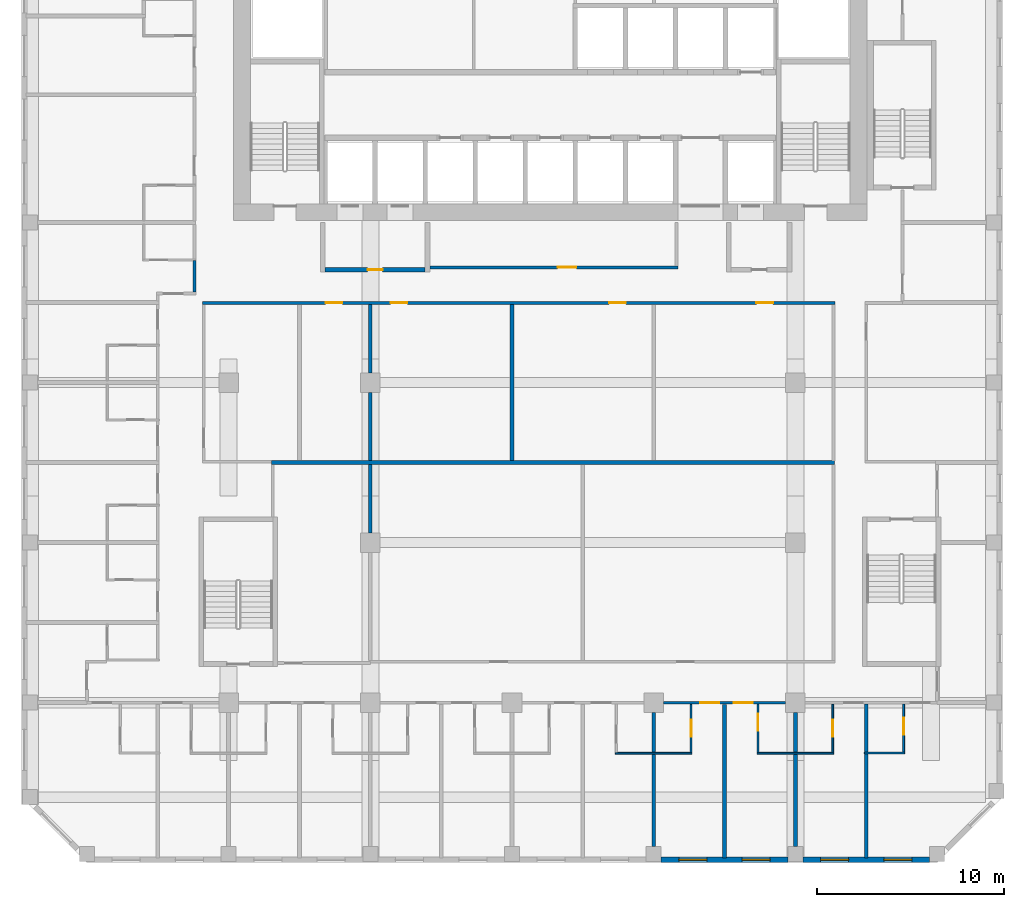
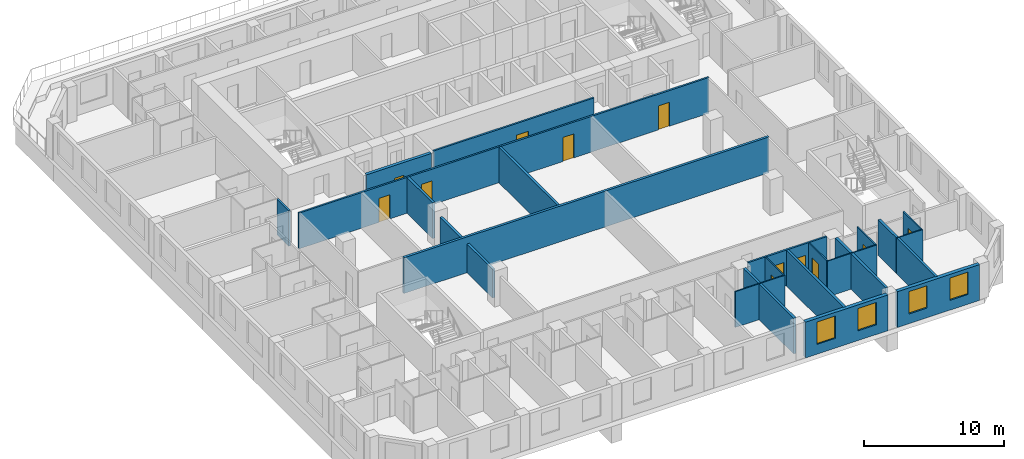
# One storey, part 5 of 16: 26 walls, 12 doors, 4 windows, 16 openings.
"""IFC4 building model written with IfcOpenShell, lengths in metres."""

import ifcopenshell
import ifcopenshell.guid

model = None  # the IFC model being written
_history = None  # IfcOwnerHistory: only IFC2X3 demands one
_inside = {}  # id of a spatial element -> (the spatial element, [elements in it])
_under = {}  # id of a project, library or spatial element -> (it, [spatial elements below it])
_declared = {}  # id of a project -> (the project, [libraries it declares])
_typed = {}  # id of a type object -> (the type object, [elements of that type])
_made_of = {}  # id of a material, layer set ... -> (it, [elements and type objects made of it])


def new_model(schema):
    """Start an empty IFC model of exactly this schema.

    Asked for "IFC4X3", IfcOpenShell would pick the latest addendum, in which some entities
    have other attributes; the version numbers below select the first issue.
    IFC2X3 requires an IfcOwnerHistory on every rooted entity: one is made here for all.
    """
    global model, _history
    if schema == "IFC4X3":
        model = ifcopenshell.file(schema_version=(4, 3, 0, 0))
    else:
        model = ifcopenshell.file(schema=schema)
    _inside.clear()
    _under.clear()
    _declared.clear()
    _typed.clear()
    _made_of.clear()
    _history = None
    if model.schema == "IFC2X3":
        org = make("IfcOrganization", Name="unknown")
        user = make(
            "IfcPersonAndOrganization",
            ThePerson=make("IfcPerson", FamilyName="unknown"),
            TheOrganization=org,
        )
        app = make(
            "IfcApplication",
            ApplicationDeveloper=org,
            Version="unknown",
            ApplicationFullName="unknown",
            ApplicationIdentifier="unknown",
        )
        _history = make(
            "IfcOwnerHistory",
            OwningUser=user,
            OwningApplication=app,
            ChangeAction="ADDED",
            CreationDate=0,
        )
    return model


def make(cls, **values):
    """One entity of the class cls with the attributes given. An attribute that is None is left unset."""
    return model.create_entity(
        cls, **{name: value for name, value in values.items() if value is not None}
    )


def rooted(cls, **values):
    """An entity with a GlobalId (a new one), such as an element, a storey or a relation."""
    return make(cls, GlobalId=ifcopenshell.guid.new(), OwnerHistory=_history, **values)


def si_unit(unit_type, name, prefix=None):
    """IfcSIUnit, for example si_unit("LENGTHUNIT", "METRE", prefix="MILLI")."""
    return make("IfcSIUnit", UnitType=unit_type, Prefix=prefix, Name=name)


def assignment(units):
    """IfcUnitAssignment: the units of a project."""
    return None if units is None else make("IfcUnitAssignment", Units=units)


def point(xyz):
    """IfcCartesianPoint."""
    return None if xyz is None else make("IfcCartesianPoint", Coordinates=xyz)


def direction(xyz):
    """IfcDirection."""
    return None if xyz is None else make("IfcDirection", DirectionRatios=xyz)


def frame(location, z_axis=None, x_axis=None):
    """IfcAxis2Placement3D, a coordinate frame: its origin and axes. An axis left out is left unset."""
    return make(
        "IfcAxis2Placement3D",
        Location=point(location),
        Axis=direction(z_axis),
        RefDirection=direction(x_axis),
    )


def frame_2d(location, x_axis=None):
    """IfcAxis2Placement2D, a coordinate frame in the plane: its origin and x axis."""
    return make(
        "IfcAxis2Placement2D", Location=point(location), RefDirection=direction(x_axis)
    )


def origin():
    """The frame at (0, 0, 0) with its axes left unset."""
    return frame((0.0, 0.0, 0.0))


def place(relative_to, where):
    """IfcLocalPlacement: puts the frame where relative to a parent placement (None: the world)."""
    return make(
        "IfcLocalPlacement", PlacementRelTo=relative_to, RelativePlacement=where
    )


def context(
    kind, dimensions, precision=None, world=None, true_north=None, identifier=None
):
    """IfcGeometricRepresentationContext, for example the 3D "Model" context."""
    return make(
        "IfcGeometricRepresentationContext",
        ContextIdentifier=identifier,
        ContextType=kind,
        CoordinateSpaceDimension=dimensions,
        Precision=precision,
        WorldCoordinateSystem=world,
        TrueNorth=true_north,
    )


def subcontext(parent, identifier, kind, view, scale=None):
    """IfcGeometricRepresentationSubContext, for example "Body" below "Model"."""
    return make(
        "IfcGeometricRepresentationSubContext",
        ContextIdentifier=identifier,
        ContextType=kind,
        ParentContext=parent,
        TargetScale=scale,
        TargetView=view,
    )


def project(units=None, contexts=None):
    """IfcProject with its units and contexts."""
    return rooted(
        "IfcProject",
        Name="project",
        RepresentationContexts=contexts,
        UnitsInContext=assignment(units),
    )


def spatial(cls, under=None, at=None, **own):
    """A site, building, storey or space (cls), placed at a placement, below another one or the project."""
    s = rooted(cls, ObjectPlacement=at, **own)
    if under is not None:
        _under.setdefault(under.id(), (under, []))[1].append(s)
    return s


def profile(cls, at=None, kind="AREA", **sizes):
    """A parametric profile (cls). Its sizes go by their IFC names, for example OverallWidth=200.0."""
    return make(cls, ProfileType=kind, Position=at, **sizes)


def rectangle(**sizes):
    """IfcRectangleProfileDef."""
    return profile("IfcRectangleProfileDef", **sizes)


def extrude(swept, where, along, depth):
    """IfcExtrudedAreaSolid: the profile swept, set in the frame where, extruded along a direction by depth."""
    return make(
        "IfcExtrudedAreaSolid",
        SweptArea=swept,
        Position=where,
        ExtrudedDirection=direction(along),
        Depth=depth,
    )


def shape(context_of_items, identifier, shape_type, items):
    """IfcShapeRepresentation: the items that make up one representation, for example the "Body"."""
    return make(
        "IfcShapeRepresentation",
        ContextOfItems=context_of_items,
        RepresentationIdentifier=identifier,
        RepresentationType=shape_type,
        Items=items,
    )


def source(mapping_origin, context_of_items, identifier, shape_type, items):
    """IfcRepresentationMap: a shape defined once, which mapped items show again and again."""
    return make(
        "IfcRepresentationMap",
        MappingOrigin=mapping_origin,
        MappedRepresentation=shape(context_of_items, identifier, shape_type, items),
    )


def transform(
    local_origin,
    x_axis=None,
    y_axis=None,
    z_axis=None,
    scale=None,
    scale2=None,
    scale3=None,
    uniform=True,
):
    """IfcCartesianTransformationOperator3D, or its non-uniform kind. x_axis, y_axis, z_axis: its Axis1, 2, 3."""
    if uniform:
        return make(
            "IfcCartesianTransformationOperator3D",
            Axis1=direction(x_axis),
            Axis2=direction(y_axis),
            LocalOrigin=point(local_origin),
            Scale=scale,
            Axis3=direction(z_axis),
        )
    return make(
        "IfcCartesianTransformationOperator3DnonUniform",
        Axis1=direction(x_axis),
        Axis2=direction(y_axis),
        LocalOrigin=point(local_origin),
        Scale=scale,
        Axis3=direction(z_axis),
        Scale2=scale2,
        Scale3=scale3,
    )


def mapped(mapping_source, mapping_target):
    """IfcMappedItem: shows the shape of a source again, moved by a transform."""
    return make(
        "IfcMappedItem", MappingSource=mapping_source, MappingTarget=mapping_target
    )


def material(Name=None, Category=None):
    """IfcMaterial."""
    return make("IfcMaterial", Name=Name, Category=Category)


def layer(
    of_material, thickness, ventilated=None, Name=None, Category=None, Priority=None
):
    """IfcMaterialLayer: one layer of a wall or slab, of a material (None: an air gap)."""
    return make(
        "IfcMaterialLayer",
        Material=of_material,
        LayerThickness=thickness,
        IsVentilated=ventilated,
        Name=Name,
        Category=Category,
        Priority=Priority,
    )


def layer_set(layers, Name=None):
    """IfcMaterialLayerSet."""
    return make("IfcMaterialLayerSet", MaterialLayers=layers, LayerSetName=Name)


def made_of(thing, what):
    """Note that an element or type object is made of a material, layer set ...; save() writes the relation."""
    if what is not None:
        _made_of.setdefault(what.id(), (what, []))[1].append(thing)
    return thing


def type_object(cls, material=None, **own):
    """A type object (cls), such as IfcWallType, which elements share."""
    return made_of(rooted(cls, **own), material)


def element(
    cls,
    number,
    at=None,
    inside=None,
    cuts=None,
    type_object=None,
    material=None,
    context=None,
    identifier="Body",
    shape_type=None,
    held_by="IfcProductDefinitionShape",
    body=None,
    shapes=None,
    **own,
):
    """One element of the class cls, such as IfcWall. Its Tag is "e" and its number.

    at: its placement. inside: the storey or other place that contains it. cuts: it is an
    opening in that element (IfcRelVoidsElement). A single representation is given by context,
    identifier, shape_type and body (its items); several are given by shapes. held_by: the class
    of the entity that holds the representations. save() writes the other relations.
    """
    e = rooted(cls, Tag="e%d" % number, ObjectPlacement=at, **own)
    if body is not None:
        shapes = [shape(context, identifier, shape_type, body)]
    if shapes is not None:
        e.Representation = make(held_by, Representations=shapes)
    if inside is not None:
        _inside.setdefault(inside.id(), (inside, []))[1].append(e)
    if cuts is not None:
        rooted(
            "IfcRelVoidsElement", RelatingBuildingElement=cuts, RelatedOpeningElement=e
        )
    if type_object is not None:
        _typed.setdefault(type_object.id(), (type_object, []))[1].append(e)
    return made_of(e, material)


def fill(opening, filler):
    """IfcRelFillsElement: the door or window that sits in an opening."""
    return rooted(
        "IfcRelFillsElement",
        RelatingOpeningElement=opening,
        RelatedBuildingElement=filler,
    )


def aggregate(whole, parts):
    """IfcRelAggregates: a whole, such as a stair, and the parts it consists of."""
    return rooted("IfcRelAggregates", RelatingObject=whole, RelatedObjects=parts)


def save(model, path):
    """Write the relations noted so far, then the file.

    IfcRelAggregates (storeys below a building ...), IfcRelContainedInSpatialStructure (elements
    in a storey), IfcRelDefinesByType, IfcRelAssociatesMaterial and IfcRelDeclares: one each for
    every whole, place, type object, material and project.
    """
    for whole, parts in _under.values():
        aggregate(whole, parts)
    for where, things in _inside.values():
        rooted(
            "IfcRelContainedInSpatialStructure",
            RelatedElements=things,
            RelatingStructure=where,
        )
    for kind, things in _typed.values():
        rooted("IfcRelDefinesByType", RelatedObjects=things, RelatingType=kind)
    for what, things in _made_of.values():
        rooted("IfcRelAssociatesMaterial", RelatedObjects=things, RelatingMaterial=what)
    for by, libraries in _declared.values():
        rooted("IfcRelDeclares", RelatingContext=by, RelatedDefinitions=libraries)
    model.write(path)


model = new_model("IFC4")

# Units and contexts
model_context = context("Model", 3, precision=1e-05, world=origin(), true_north=direction((0.0, 1.0)))
body_context = subcontext(model_context, "Body", "Model", "MODEL_VIEW")
ifc_project = project(units=[si_unit("LENGTHUNIT", "METRE"), si_unit("AREAUNIT", "SQUARE_METRE"), si_unit("VOLUMEUNIT", "CUBIC_METRE"), si_unit("PLANEANGLEUNIT", "RADIAN"), si_unit("MASSUNIT", "GRAM", prefix="KILO")], contexts=[model_context])

# Site, building, storey
site_placement = place(None, origin())
site = spatial("IfcSite", under=ifc_project, at=site_placement, CompositionType="ELEMENT")
building_placement = place(site_placement, origin())
building = spatial("IfcBuilding", under=site, at=building_placement, Name="Kilnfold Tower and Market Hall", CompositionType="ELEMENT")
storey_placement = place(building_placement, frame((0.0, 0.0, 168.5)))
storey = spatial("IfcBuildingStorey", under=building, at=storey_placement, Name="L39", CompositionType="ELEMENT", Elevation=168.5)

# Wall, openings, doors
ifc_material_1 = material(Name="Gypsum board on steel studs", Category="steel")
ifc_layer_1 = layer(ifc_material_1, 0.14990234375)
ifc_layer_set_1 = layer_set([ifc_layer_1], Name="Gypsum board on steel studs")
wall_type_1 = type_object("IfcWallType", Name="WALL CORRIDOR 150", PredefinedType="PARTITIONING", material=ifc_layer_set_1)
wall_1_placement = place(storey_placement, frame((7.10791015625, -17.699951171875, 0.0), z_axis=(0.0, 0.0, 1.0), x_axis=(1.0, 0.0, 0.0)))
wall_1 = element("IfcWall", 1, at=wall_1_placement, inside=storey, type_object=wall_type_1, Name="Partition LY26.5", PredefinedType="PARTITIONING", context=body_context, shape_type="SweptSolid", body=[
    extrude(rectangle(XDim=6.5341796875, YDim=0.14990234375, at=frame_2d((3.26708984375, 0.0))), origin(), (0.0, 0.0, 1.0), 3.1201171875),
])
opening_1_placement = place(wall_1_placement, frame((1.97412109375, 0.0, 0.0)))
opening_1 = element("IfcOpeningElement", 2, at=opening_1_placement, cuts=wall_1, Name="Opening D1", PredefinedType="OPENING", context=body_context, shape_type="SweptSolid", body=[
    extrude(rectangle(XDim=1.0, YDim=2.10009765625, at=frame_2d((0.5, 1.050048828125))), frame((0.0, 0.0849609375, 0.0), z_axis=(0.0, -1.0, 0.0), x_axis=(1.0, 0.0, 0.0)), (0.0, 0.0, 1.0), 0.169921875),
])
opening_2_placement = place(wall_1_placement, frame((3.76611328125, 0.0, 0.0)))
opening_2 = element("IfcOpeningElement", 3, at=opening_2_placement, cuts=wall_1, Name="Opening D1", PredefinedType="OPENING", context=body_context, shape_type="SweptSolid", body=[
    extrude(rectangle(XDim=1.0, YDim=2.10009765625, at=frame_2d((0.5, 1.050048828125))), frame((0.0, 0.0849609375, 0.0), z_axis=(0.0, -1.0, 0.0), x_axis=(1.0, 0.0, 0.0)), (0.0, 0.0, 1.0), 0.169921875),
])
ifc_material_2 = material(Name="Timber veneer door leaf in steel frame", Category="steel")
door_type_1 = type_object("IfcDoorType", Name="DOOR ENTRY 1000 X2100", OperationType="NOTDEFINED", PredefinedType="DOOR", material=ifc_material_2)
door_1_placement = place(opening_1_placement, origin())
door_1 = element("IfcDoor", 4, at=door_1_placement, inside=storey, type_object=door_type_1, Name="Door D1", OperationType="SINGLE_SWING_RIGHT", OverallHeight=2.10009765625, OverallWidth=1.0, PredefinedType="DOOR", context=body_context, shape_type="SweptSolid", body=[
    extrude(rectangle(XDim=1.0, YDim=2.10009765625, at=frame_2d((0.5, 1.050048828125))), frame((0.0, 0.02490234375, 0.0), z_axis=(0.0, -1.0, 0.0), x_axis=(1.0, 0.0, 0.0)), (0.0, 0.0, 1.0), 0.050048828125),
])
fill(opening_1, door_1)
door_2_placement = place(opening_2_placement, origin())
door_2 = element("IfcDoor", 5, at=door_2_placement, inside=storey, type_object=door_type_1, Name="Door D1", OperationType="SINGLE_SWING_RIGHT", OverallHeight=2.10009765625, OverallWidth=1.0, PredefinedType="DOOR", context=body_context, shape_type="SweptSolid", body=[
    extrude(rectangle(XDim=1.0, YDim=2.10009765625, at=frame_2d((0.5, 1.050048828125))), frame((0.0, 0.02490234375, 0.0), z_axis=(0.0, -1.0, 0.0), x_axis=(1.0, 0.0, 0.0)), (0.0, 0.0, 1.0), 0.050048828125),
])
fill(opening_2, door_2)

# Wall
wall_2_placement = place(storey_placement, frame((-18.0, 4.27490234375, 0.0), z_axis=(0.0, 0.0, 1.0), x_axis=(0.0, 1.0, 0.0)))
element("IfcWall", 6, at=wall_2_placement, inside=storey, type_object=wall_type_1, Name="Partition LY26.20", PredefinedType="PARTITIONING", context=body_context, shape_type="SweptSolid", body=[
    extrude(rectangle(XDim=1.68505859375, YDim=0.14990234375, at=frame_2d((0.842529296875, 0.0))), origin(), (0.0, 0.0, 1.0), 3.1201171875),
])

# Wall, opening, door
wall_3_placement = place(storey_placement, frame((7.875, 5.60009765625, 0.0), z_axis=(0.0, 0.0, 1.0), x_axis=(-1.0, 0.0, 0.0)))
wall_3 = element("IfcWall", 7, at=wall_3_placement, inside=storey, type_object=wall_type_1, Name="Partition LY26.40", PredefinedType="PARTITIONING", context=body_context, shape_type="SweptSolid", body=[
    extrude(rectangle(XDim=13.27490234375, YDim=0.14990234375, at=frame_2d((6.637451171875, 0.0))), origin(), (0.0, 0.0, 1.0), 3.1201171875),
])
opening_3_placement = place(wall_3_placement, frame((5.43310546875, 0.0, 0.0)))
opening_3 = element("IfcOpeningElement", 8, at=opening_3_placement, cuts=wall_3, Name="Opening D1", PredefinedType="OPENING", context=body_context, shape_type="SweptSolid", body=[
    extrude(rectangle(XDim=1.0, YDim=2.10009765625, at=frame_2d((0.5, 1.050048828125))), frame((0.0, 0.0849609375, 0.0), z_axis=(0.0, -1.0, 0.0), x_axis=(1.0, 0.0, 0.0)), (0.0, 0.0, 1.0), 0.169921875),
])
door_3_placement = place(opening_3_placement, origin())
door_3 = element("IfcDoor", 9, at=door_3_placement, inside=storey, type_object=door_type_1, Name="Door D1", OperationType="SINGLE_SWING_LEFT", OverallHeight=2.10009765625, OverallWidth=1.0, PredefinedType="DOOR", context=body_context, shape_type="SweptSolid", body=[
    extrude(rectangle(XDim=1.0, YDim=2.10009765625, at=frame_2d((0.5, 1.050048828125))), frame((0.0, 0.02490234375, 0.0), z_axis=(0.0, -1.0, 0.0), x_axis=(1.0, 0.0, 0.0)), (0.0, 0.0, 1.0), 0.050048828125),
])
fill(opening_3, door_3)

# Wall, openings, doors
wall_4_placement = place(storey_placement, frame((-17.574951171875, 3.699951171875, 0.0), z_axis=(0.0, 0.0, 1.0), x_axis=(1.0, 0.0, 0.0)))
wall_4 = element("IfcWall", 10, at=wall_4_placement, inside=storey, type_object=wall_type_1, Name="Partition LY26.42", PredefinedType="PARTITIONING", context=body_context, shape_type="SweptSolid", body=[
    extrude(rectangle(XDim=33.849853515625, YDim=0.14990234375, at=frame_2d((16.9248046875, 0.0))), origin(), (0.0, 0.0, 1.0), 3.1201171875),
])
opening_4_placement = place(wall_4_placement, frame((6.595947265625, 0.0, 0.0)))
opening_4 = element("IfcOpeningElement", 11, at=opening_4_placement, cuts=wall_4, Name="Opening D2", PredefinedType="OPENING", context=body_context, shape_type="SweptSolid", body=[
    extrude(rectangle(XDim=0.89990234375, YDim=2.10009765625, at=frame_2d((0.449951171875, 1.050048828125))), frame((0.0, 0.0849609375, 0.0), z_axis=(0.0, -1.0, 0.0), x_axis=(1.0, 0.0, 0.0)), (0.0, 0.0, 1.0), 0.169921875),
])
opening_5_placement = place(wall_4_placement, frame((10.08203125, 0.0, 0.0)))
opening_5 = element("IfcOpeningElement", 12, at=opening_5_placement, cuts=wall_4, Name="Opening D2", PredefinedType="OPENING", context=body_context, shape_type="SweptSolid", body=[
    extrude(rectangle(XDim=0.89990234375, YDim=2.10009765625, at=frame_2d((0.449951171875, 1.050048828125))), frame((0.0, 0.0849609375, 0.0), z_axis=(0.0, -1.0, 0.0), x_axis=(1.0, 0.0, 0.0)), (0.0, 0.0, 1.0), 0.169921875),
])
opening_6_placement = place(wall_4_placement, frame((21.76708984375, 0.0, 0.0)))
opening_6 = element("IfcOpeningElement", 13, at=opening_6_placement, cuts=wall_4, Name="Opening D2", PredefinedType="OPENING", context=body_context, shape_type="SweptSolid", body=[
    extrude(rectangle(XDim=0.89990234375, YDim=2.10009765625, at=frame_2d((0.449951171875, 1.050048828125))), frame((0.0, 0.0849609375, 0.0), z_axis=(0.0, -1.0, 0.0), x_axis=(1.0, 0.0, 0.0)), (0.0, 0.0, 1.0), 0.169921875),
])
opening_7_placement = place(wall_4_placement, frame((29.64892578125, 0.0, 0.0)))
opening_7 = element("IfcOpeningElement", 14, at=opening_7_placement, cuts=wall_4, Name="Opening D2", PredefinedType="OPENING", context=body_context, shape_type="SweptSolid", body=[
    extrude(rectangle(XDim=0.89990234375, YDim=2.10009765625, at=frame_2d((0.449951171875, 1.050048828125))), frame((0.0, 0.0849609375, 0.0), z_axis=(0.0, -1.0, 0.0), x_axis=(1.0, 0.0, 0.0)), (0.0, 0.0, 1.0), 0.169921875),
])
ifc_material_3 = material(Name="Timber veneer door leaf in steel frame", Category="steel")
door_type_2 = type_object("IfcDoorType", Name="DOOR ROOM 900 X2100", OperationType="NOTDEFINED", PredefinedType="DOOR", material=ifc_material_3)
door_4_placement = place(opening_4_placement, origin())
door_4 = element("IfcDoor", 15, at=door_4_placement, inside=storey, type_object=door_type_2, Name="Door D2", OperationType="SINGLE_SWING_LEFT", OverallHeight=2.10009765625, OverallWidth=0.89990234375, PredefinedType="DOOR", context=body_context, shape_type="SweptSolid", body=[
    extrude(rectangle(XDim=0.89990234375, YDim=2.10009765625, at=frame_2d((0.449951171875, 1.050048828125))), frame((0.0, 0.02490234375, 0.0), z_axis=(0.0, -1.0, 0.0), x_axis=(1.0, 0.0, 0.0)), (0.0, 0.0, 1.0), 0.050048828125),
])
fill(opening_4, door_4)
door_5_placement = place(opening_5_placement, origin())
door_5 = element("IfcDoor", 16, at=door_5_placement, inside=storey, type_object=door_type_2, Name="Door D2", OperationType="SINGLE_SWING_RIGHT", OverallHeight=2.10009765625, OverallWidth=0.89990234375, PredefinedType="DOOR", context=body_context, shape_type="SweptSolid", body=[
    extrude(rectangle(XDim=0.89990234375, YDim=2.10009765625, at=frame_2d((0.449951171875, 1.050048828125))), frame((0.0, 0.02490234375, 0.0), z_axis=(0.0, -1.0, 0.0), x_axis=(1.0, 0.0, 0.0)), (0.0, 0.0, 1.0), 0.050048828125),
])
fill(opening_5, door_5)
door_6_placement = place(opening_6_placement, origin())
door_6 = element("IfcDoor", 17, at=door_6_placement, inside=storey, type_object=door_type_2, Name="Door D2", OperationType="SINGLE_SWING_LEFT", OverallHeight=2.10009765625, OverallWidth=0.89990234375, PredefinedType="DOOR", context=body_context, shape_type="SweptSolid", body=[
    extrude(rectangle(XDim=0.89990234375, YDim=2.10009765625, at=frame_2d((0.449951171875, 1.050048828125))), frame((0.0, 0.02490234375, 0.0), z_axis=(0.0, -1.0, 0.0), x_axis=(1.0, 0.0, 0.0)), (0.0, 0.0, 1.0), 0.050048828125),
])
fill(opening_6, door_6)
door_7_placement = place(opening_7_placement, origin())
door_7 = element("IfcDoor", 18, at=door_7_placement, inside=storey, type_object=door_type_2, Name="Door D2", OperationType="SINGLE_SWING_RIGHT", OverallHeight=2.10009765625, OverallWidth=0.89990234375, PredefinedType="DOOR", context=body_context, shape_type="SweptSolid", body=[
    extrude(rectangle(XDim=0.89990234375, YDim=2.10009765625, at=frame_2d((0.449951171875, 1.050048828125))), frame((0.0, 0.02490234375, 0.0), z_axis=(0.0, -1.0, 0.0), x_axis=(1.0, 0.0, 0.0)), (0.0, 0.0, 1.0), 0.050048828125),
])
fill(opening_7, door_7)

# Wall
ifc_material_4 = material(Name="Gypsum board on steel studs", Category="steel")
ifc_layer_2 = layer(ifc_material_4, 0.10009765625)
ifc_layer_set_2 = layer_set([ifc_layer_2], Name="Gypsum board on steel studs")
wall_type_2 = type_object("IfcWallType", Name="WALL PARTITION 100", PredefinedType="PARTITIONING", material=ifc_layer_set_2)
wall_5_placement = place(storey_placement, frame((4.532958984375, -20.402099609375, 0.0), z_axis=(0.0, 0.0, 1.0), x_axis=(1.0, 0.0, 0.0)))
element("IfcWall", 19, at=wall_5_placement, inside=storey, type_object=wall_type_2, Name="Partition LY26.74", PredefinedType="PARTITIONING", context=body_context, shape_type="SweptSolid", body=[
    extrude(rectangle(XDim=4.10009765625, YDim=0.10009765625, at=frame_2d((2.050048828125, 0.0))), origin(), (0.0, 0.0, 1.0), 3.1201171875),
])

# Wall, opening, door
wall_6_placement = place(storey_placement, frame((8.5830078125, -17.777099609375, 0.0), z_axis=(0.0, 0.0, 1.0), x_axis=(0.0, -1.0, 0.0)))
wall_6 = element("IfcWall", 20, at=wall_6_placement, inside=storey, type_object=wall_type_2, Name="Partition LY26.77", PredefinedType="PARTITIONING", context=body_context, shape_type="SweptSolid", body=[
    extrude(rectangle(XDim=2.574951171875, YDim=0.10009765625, at=frame_2d((1.28759765625, 0.0))), origin(), (0.0, 0.0, 1.0), 3.1201171875),
])
opening_8_placement = place(wall_6_placement, frame((0.8369140625, 0.0, 0.0)))
opening_8 = element("IfcOpeningElement", 21, at=opening_8_placement, cuts=wall_6, Name="Opening D3", PredefinedType="OPENING", context=body_context, shape_type="SweptSolid", body=[
    extrude(rectangle(XDim=0.89990234375, YDim=2.10009765625, at=frame_2d((0.449951171875, 1.050048828125))), frame((0.0, 0.06005859375, 0.0), z_axis=(0.0, -1.0, 0.0), x_axis=(1.0, 0.0, 0.0)), (0.0, 0.0, 1.0), 0.1201171875),
])
ifc_material_5 = material(Name="Timber veneer door leaf in steel frame", Category="steel")
door_type_3 = type_object("IfcDoorType", Name="DOOR WC 900 X2100", OperationType="NOTDEFINED", PredefinedType="DOOR", material=ifc_material_5)
door_8_placement = place(opening_8_placement, origin())
door_8 = element("IfcDoor", 22, at=door_8_placement, inside=storey, type_object=door_type_3, Name="Door D3", OperationType="SINGLE_SWING_LEFT", OverallHeight=2.10009765625, OverallWidth=0.89990234375, PredefinedType="DOOR", context=body_context, shape_type="SweptSolid", body=[
    extrude(rectangle(XDim=0.89990234375, YDim=2.10009765625, at=frame_2d((0.449951171875, 1.050048828125))), frame((0.0, 0.02490234375, 0.0), z_axis=(0.0, -1.0, 0.0), x_axis=(1.0, 0.0, 0.0)), (0.0, 0.0, 1.0), 0.050048828125),
])
fill(opening_8, door_8)

wall_7_placement = place(storey_placement, frame((12.1669921875, -20.35205078125, 0.0), z_axis=(0.0, 0.0, 1.0), x_axis=(0.0, 1.0, 0.0)))
wall_7 = element("IfcWall", 23, at=wall_7_placement, inside=storey, type_object=wall_type_2, Name="Partition LY26.79", PredefinedType="PARTITIONING", context=body_context, shape_type="SweptSolid", body=[
    extrude(rectangle(XDim=2.574951171875, YDim=0.10009765625, at=frame_2d((1.28759765625, 0.0))), origin(), (0.0, 0.0, 1.0), 3.1201171875),
])
opening_9_placement = place(wall_7_placement, frame((1.156005859375, 0.0, 0.0)))
opening_9 = element("IfcOpeningElement", 24, at=opening_9_placement, cuts=wall_7, Name="Opening D3", PredefinedType="OPENING", context=body_context, shape_type="SweptSolid", body=[
    extrude(rectangle(XDim=0.89990234375, YDim=2.10009765625, at=frame_2d((0.449951171875, 1.050048828125))), frame((0.0, 0.06005859375, 0.0), z_axis=(0.0, -1.0, 0.0), x_axis=(1.0, 0.0, 0.0)), (0.0, 0.0, 1.0), 0.1201171875),
])
door_9_placement = place(opening_9_placement, origin())
door_9 = element("IfcDoor", 25, at=door_9_placement, inside=storey, type_object=door_type_3, Name="Door D3", OperationType="SINGLE_SWING_RIGHT", OverallHeight=2.10009765625, OverallWidth=0.89990234375, PredefinedType="DOOR", context=body_context, shape_type="SweptSolid", body=[
    extrude(rectangle(XDim=0.89990234375, YDim=2.10009765625, at=frame_2d((0.449951171875, 1.050048828125))), frame((0.0, 0.02490234375, 0.0), z_axis=(0.0, -1.0, 0.0), x_axis=(1.0, 0.0, 0.0)), (0.0, 0.0, 1.0), 0.050048828125),
])
fill(opening_9, door_9)

# Wall
wall_8_placement = place(storey_placement, frame((12.116943359375, -20.402099609375, 0.0), z_axis=(0.0, 0.0, 1.0), x_axis=(1.0, 0.0, 0.0)))
element("IfcWall", 26, at=wall_8_placement, inside=storey, type_object=wall_type_2, Name="Partition LY26.80", PredefinedType="PARTITIONING", context=body_context, shape_type="SweptSolid", body=[
    extrude(rectangle(XDim=4.10009765625, YDim=0.10009765625, at=frame_2d((2.050048828125, 0.0))), origin(), (0.0, 0.0, 1.0), 3.1201171875),
])

# Wall, opening, door
wall_9_placement = place(storey_placement, frame((16.1669921875, -17.777099609375, 0.0), z_axis=(0.0, 0.0, 1.0), x_axis=(0.0, -1.0, 0.0)))
wall_9 = element("IfcWall", 27, at=wall_9_placement, inside=storey, type_object=wall_type_2, Name="Partition LY26.83", PredefinedType="PARTITIONING", context=body_context, shape_type="SweptSolid", body=[
    extrude(rectangle(XDim=2.574951171875, YDim=0.10009765625, at=frame_2d((1.28759765625, 0.0))), origin(), (0.0, 0.0, 1.0), 3.1201171875),
])
opening_10_placement = place(wall_9_placement, frame((0.8369140625, 0.0, 0.0)))
opening_10 = element("IfcOpeningElement", 28, at=opening_10_placement, cuts=wall_9, Name="Opening D3", PredefinedType="OPENING", context=body_context, shape_type="SweptSolid", body=[
    extrude(rectangle(XDim=0.89990234375, YDim=2.10009765625, at=frame_2d((0.449951171875, 1.050048828125))), frame((0.0, 0.06005859375, 0.0), z_axis=(0.0, -1.0, 0.0), x_axis=(1.0, 0.0, 0.0)), (0.0, 0.0, 1.0), 0.1201171875),
])
door_10_placement = place(opening_10_placement, origin())
door_10 = element("IfcDoor", 29, at=door_10_placement, inside=storey, type_object=door_type_3, Name="Door D3", OperationType="SINGLE_SWING_LEFT", OverallHeight=2.10009765625, OverallWidth=0.89990234375, PredefinedType="DOOR", context=body_context, shape_type="SweptSolid", body=[
    extrude(rectangle(XDim=0.89990234375, YDim=2.10009765625, at=frame_2d((0.449951171875, 1.050048828125))), frame((0.0, 0.02490234375, 0.0), z_axis=(0.0, -1.0, 0.0), x_axis=(1.0, 0.0, 0.0)), (0.0, 0.0, 1.0), 0.050048828125),
])
fill(opening_10, door_10)

# Wall
wall_10_placement = place(storey_placement, frame((17.85888671875, -20.387939453125, 0.0), z_axis=(0.0, 0.0, 1.0), x_axis=(1.0, 0.0, 0.0)))
element("IfcWall", 30, at=wall_10_placement, inside=storey, type_object=wall_type_2, Name="Partition LY26.86", PredefinedType="PARTITIONING", context=body_context, shape_type="SweptSolid", body=[
    extrude(rectangle(XDim=2.150146484375, YDim=0.10009765625, at=frame_2d((1.0751953125, 0.0))), origin(), (0.0, 0.0, 1.0), 3.1201171875),
])

# Wall, opening, door
wall_11_placement = place(storey_placement, frame((19.958984375, -17.777099609375, 0.0), z_axis=(0.0, 0.0, 1.0), x_axis=(0.0, -1.0, 0.0)))
wall_11 = element("IfcWall", 31, at=wall_11_placement, inside=storey, type_object=wall_type_2, Name="Partition LY26.87", PredefinedType="PARTITIONING", context=body_context, shape_type="SweptSolid", body=[
    extrude(rectangle(XDim=2.560791015625, YDim=0.10009765625, at=frame_2d((1.2802734375, 0.0))), origin(), (0.0, 0.0, 1.0), 3.1201171875),
])
opening_11_placement = place(wall_11_placement, frame((0.72509765625, 0.0, 0.0)))
opening_11 = element("IfcOpeningElement", 32, at=opening_11_placement, cuts=wall_11, Name="Opening D3", PredefinedType="OPENING", context=body_context, shape_type="SweptSolid", body=[
    extrude(rectangle(XDim=0.89990234375, YDim=2.10009765625, at=frame_2d((0.449951171875, 1.050048828125))), frame((0.0, 0.06005859375, 0.0), z_axis=(0.0, -1.0, 0.0), x_axis=(1.0, 0.0, 0.0)), (0.0, 0.0, 1.0), 0.1201171875),
])
door_11_placement = place(opening_11_placement, origin())
door_11 = element("IfcDoor", 33, at=door_11_placement, inside=storey, type_object=door_type_3, Name="Door D3", OperationType="SINGLE_SWING_RIGHT", OverallHeight=2.10009765625, OverallWidth=0.89990234375, PredefinedType="DOOR", context=body_context, shape_type="SweptSolid", body=[
    extrude(rectangle(XDim=0.89990234375, YDim=2.10009765625, at=frame_2d((0.449951171875, 1.050048828125))), frame((0.0, 0.02490234375, 0.0), z_axis=(0.0, -1.0, 0.0), x_axis=(1.0, 0.0, 0.0)), (0.0, 0.0, 1.0), 0.050048828125),
])
fill(opening_11, door_11)

# Walls
ifc_material_6 = material(Name="Gypsum board on steel studs", Category="steel")
ifc_layer_3 = layer(ifc_material_6, 0.199951171875)
ifc_layer_set_3 = layer_set([ifc_layer_3], Name="Gypsum board on steel studs")
wall_type_3 = type_object("IfcWallType", Name="WALL PARTY 200", PredefinedType="PARTITIONING", material=ifc_layer_set_3)
wall_12_placement = place(storey_placement, frame((6.5830078125, -25.39990234375, 0.0), z_axis=(0.0, 0.0, 1.0), x_axis=(0.0, 1.0, 0.0)))
element("IfcWall", 34, at=wall_12_placement, inside=storey, type_object=wall_type_3, Name="Partition LY26.75", PredefinedType="PARTITIONING", context=body_context, shape_type="SweptSolid", body=[
    extrude(rectangle(XDim=4.947998046875, YDim=0.199951171875, at=frame_2d((2.47412109375, 0.0))), origin(), (0.0, 0.0, 1.0), 3.1201171875),
])
wall_13_placement = place(storey_placement, frame((6.5830078125, -20.35205078125, 0.0), z_axis=(0.0, 0.0, 1.0), x_axis=(0.0, 1.0, 0.0)))
element("IfcWall", 35, at=wall_13_placement, inside=storey, type_object=wall_type_3, Name="Partition LY26.76", PredefinedType="PARTITIONING", context=body_context, shape_type="SweptSolid", body=[
    extrude(rectangle(XDim=2.14013671875, YDim=0.199951171875, at=frame_2d((1.070068359375, 0.0))), origin(), (0.0, 0.0, 1.0), 3.1201171875),
])
wall_14_placement = place(storey_placement, frame((10.375, -26.0, 0.0), z_axis=(0.0, 0.0, 1.0), x_axis=(0.0, 1.0, 0.0)))
element("IfcWall", 36, at=wall_14_placement, inside=storey, type_object=wall_type_3, Name="Partition LY26.78", PredefinedType="PARTITIONING", context=body_context, shape_type="SweptSolid", body=[
    extrude(rectangle(XDim=8.222900390625, YDim=0.199951171875, at=frame_2d((4.111328125, 0.0))), origin(), (0.0, 0.0, 1.0), 3.1201171875),
])
wall_15_placement = place(storey_placement, frame((14.1669921875, -25.39990234375, 0.0), z_axis=(0.0, 0.0, 1.0), x_axis=(0.0, 1.0, 0.0)))
element("IfcWall", 37, at=wall_15_placement, inside=storey, type_object=wall_type_3, Name="Partition LY26.81", PredefinedType="PARTITIONING", context=body_context, shape_type="SweptSolid", body=[
    extrude(rectangle(XDim=4.947998046875, YDim=0.199951171875, at=frame_2d((2.47412109375, 0.0))), origin(), (0.0, 0.0, 1.0), 3.1201171875),
])
wall_16_placement = place(storey_placement, frame((14.1669921875, -20.35205078125, 0.0), z_axis=(0.0, 0.0, 1.0), x_axis=(0.0, 1.0, 0.0)))
element("IfcWall", 38, at=wall_16_placement, inside=storey, type_object=wall_type_3, Name="Partition LY26.82", PredefinedType="PARTITIONING", context=body_context, shape_type="SweptSolid", body=[
    extrude(rectangle(XDim=2.14013671875, YDim=0.199951171875, at=frame_2d((1.070068359375, 0.0))), origin(), (0.0, 0.0, 1.0), 3.1201171875),
])
wall_17_placement = place(storey_placement, frame((17.958984375, -26.0, 0.0), z_axis=(0.0, 0.0, 1.0), x_axis=(0.0, 1.0, 0.0)))
element("IfcWall", 39, at=wall_17_placement, inside=storey, type_object=wall_type_3, Name="Partition LY26.84", PredefinedType="PARTITIONING", context=body_context, shape_type="SweptSolid", body=[
    extrude(rectangle(XDim=5.572021484375, YDim=0.199951171875, at=frame_2d((2.7861328125, 0.0))), origin(), (0.0, 0.0, 1.0), 3.1201171875),
])
wall_18_placement = place(storey_placement, frame((17.958984375, -20.347900390625, 0.0), z_axis=(0.0, 0.0, 1.0), x_axis=(0.0, 1.0, 0.0)))
element("IfcWall", 40, at=wall_18_placement, inside=storey, type_object=wall_type_3, Name="Partition LY26.85", PredefinedType="PARTITIONING", context=body_context, shape_type="SweptSolid", body=[
    extrude(rectangle(XDim=2.57080078125, YDim=0.199951171875, at=frame_2d((1.285400390625, 0.0))), origin(), (0.0, 0.0, 1.0), 3.1201171875),
])
wall_19_placement = place(storey_placement, frame((-13.873046875, -4.843017578125, 0.0), z_axis=(0.0, 0.0, 1.0), x_axis=(1.0, 0.0, 0.0)))
element("IfcWall", 41, at=wall_19_placement, inside=storey, type_object=wall_type_3, Name="Partition LY26.135", PredefinedType="PARTITIONING", context=body_context, shape_type="SweptSolid", body=[
    extrude(rectangle(XDim=30.14599609375, YDim=0.199951171875, at=frame_2d((15.072998046875, 0.0))), origin(), (0.0, 0.0, 1.0), 3.1201171875),
])
wall_20_placement = place(storey_placement, frame((-8.5830078125, -0.037109375, 0.0), z_axis=(0.0, 0.0, 1.0), x_axis=(0.0, 1.0, 0.0)))
element("IfcWall", 42, at=wall_20_placement, inside=storey, type_object=wall_type_3, Name="Partition LY26.136", PredefinedType="PARTITIONING", context=body_context, shape_type="SweptSolid", body=[
    extrude(rectangle(XDim=3.66015625, YDim=0.199951171875, at=frame_2d((1.830078125, 0.0))), origin(), (0.0, 0.0, 1.0), 3.1201171875),
])
wall_21_placement = place(storey_placement, frame((-8.5830078125, -4.742919921875, 0.0), z_axis=(0.0, 0.0, 1.0), x_axis=(0.0, 1.0, 0.0)))
element("IfcWall", 43, at=wall_21_placement, inside=storey, type_object=wall_type_3, Name="Partition LY26.137", PredefinedType="PARTITIONING", context=body_context, shape_type="SweptSolid", body=[
    extrude(rectangle(XDim=3.656005859375, YDim=0.199951171875, at=frame_2d((1.828125, 0.0))), origin(), (0.0, 0.0, 1.0), 2.52001953125),
])
wall_22_placement = place(storey_placement, frame((-1.0, -4.742919921875, 0.0), z_axis=(0.0, 0.0, 1.0), x_axis=(0.0, 1.0, 0.0)))
element("IfcWall", 44, at=wall_22_placement, inside=storey, type_object=wall_type_3, Name="Partition LY26.138", PredefinedType="PARTITIONING", context=body_context, shape_type="SweptSolid", body=[
    extrude(rectangle(XDim=8.365966796875, YDim=0.199951171875, at=frame_2d((4.18310546875, 0.0))), origin(), (0.0, 0.0, 1.0), 3.1201171875),
])
wall_23_placement = place(storey_placement, frame((-8.5830078125, -8.60009765625, 0.0), z_axis=(0.0, 0.0, 1.0), x_axis=(0.0, 1.0, 0.0)))
element("IfcWall", 45, at=wall_23_placement, inside=storey, type_object=wall_type_3, Name="Partition LY26.140", PredefinedType="PARTITIONING", context=body_context, shape_type="SweptSolid", body=[
    extrude(rectangle(XDim=3.656982421875, YDim=0.199951171875, at=frame_2d((1.82861328125, 0.0))), origin(), (0.0, 0.0, 1.0), 2.52001953125),
])

# Wall, openings, windows
ifc_material_7 = material(Name="Precast concrete C50/60", Category="concrete")
ifc_layer_4 = layer(ifc_material_7, 0.300048828125)
ifc_layer_set_4 = layer_set([ifc_layer_4], Name="Precast concrete C50/60")
wall_type_4 = type_object("IfcWallType", Name="PRECAST WALL 300", PredefinedType="SOLIDWALL", material=ifc_layer_set_4)
shared_shape_1 = source(origin(), body_context, "Body", "SweptSolid", [
    extrude(rectangle(XDim=6.783447265625, YDim=0.300048828125, at=frame_2d((3.3916015625, 0.0))), origin(), (0.0, 0.0, 1.0), 3.1201171875),
])
wall_24_placement = place(storey_placement, frame((14.566650390625, -26.10009765625, 0.0), z_axis=(0.0, 0.0, 1.0), x_axis=(1.0, 0.0, 0.0)))
wall_24 = element("IfcWall", 46, at=wall_24_placement, inside=storey, type_object=wall_type_4, Name="External wall L39 S", PredefinedType="SOLIDWALL", context=body_context, shape_type="MappedRepresentation", body=[
    mapped(shared_shape_1, transform((0.0, 0.0, 0.0))),
])
opening_12_placement = place(wall_24_placement, frame((0.94580078125, 0.0, 0.85009765625)))
opening_12 = element("IfcOpeningElement", 47, at=opening_12_placement, cuts=wall_24, Name="Opening W4", PredefinedType="OPENING", context=body_context, shape_type="SweptSolid", body=[
    extrude(rectangle(XDim=1.5, YDim=1.949951171875, at=frame_2d((0.75, 0.97509765625))), frame((0.0, 0.16015625, 0.0), z_axis=(0.0, -1.0, 0.0), x_axis=(1.0, 0.0, 0.0)), (0.0, 0.0, 1.0), 0.320068359375),
])
opening_13_placement = place(wall_24_placement, frame((4.33740234375, 0.0, 0.85009765625)))
opening_13 = element("IfcOpeningElement", 48, at=opening_13_placement, cuts=wall_24, Name="Opening W4", PredefinedType="OPENING", context=body_context, shape_type="SweptSolid", body=[
    extrude(rectangle(XDim=1.5, YDim=1.949951171875, at=frame_2d((0.75, 0.97509765625))), frame((0.0, 0.16015625, 0.0), z_axis=(0.0, -1.0, 0.0), x_axis=(1.0, 0.0, 0.0)), (0.0, 0.0, 1.0), 0.320068359375),
])
ifc_material_8 = material(Name="Aluminium frame and double glazing", Category="aluminium")
window_type = type_object("IfcWindowType", Name="WINDOW W4 1500X1950", PartitioningType="SINGLE_PANEL", PredefinedType="WINDOW", material=ifc_material_8)
window_1_placement = place(opening_12_placement, origin())
window_1 = element("IfcWindow", 49, at=window_1_placement, inside=storey, type_object=window_type, Name="Window W4 L39 S-1", OverallHeight=1.949951171875, OverallWidth=1.5, PartitioningType="SINGLE_PANEL", PredefinedType="WINDOW", context=body_context, shape_type="SweptSolid", body=[
    extrude(rectangle(XDim=1.5, YDim=1.949951171875, at=frame_2d((0.75, 0.97509765625))), frame((0.0, 0.030029296875, 0.0), z_axis=(0.0, -1.0, 0.0), x_axis=(1.0, 0.0, 0.0)), (0.0, 0.0, 1.0), 0.06005859375),
])
fill(opening_12, window_1)
window_2_placement = place(opening_13_placement, origin())
window_2 = element("IfcWindow", 50, at=window_2_placement, inside=storey, type_object=window_type, Name="Window W4 L39 S-2", OverallHeight=1.949951171875, OverallWidth=1.5, PartitioningType="SINGLE_PANEL", PredefinedType="WINDOW", context=body_context, shape_type="SweptSolid", body=[
    extrude(rectangle(XDim=1.5, YDim=1.949951171875, at=frame_2d((0.75, 0.97509765625))), frame((0.0, 0.030029296875, 0.0), z_axis=(0.0, -1.0, 0.0), x_axis=(1.0, 0.0, 0.0)), (0.0, 0.0, 1.0), 0.06005859375),
])
fill(opening_13, window_2)

shared_shape_2 = source(origin(), body_context, "Body", "SweptSolid", [
    extrude(rectangle(XDim=6.783203125, YDim=0.300048828125, at=frame_2d((3.3916015625, 0.0))), origin(), (0.0, 0.0, 1.0), 3.1201171875),
])
wall_25_placement = place(storey_placement, frame((6.9833984375, -26.10009765625, 0.0), z_axis=(0.0, 0.0, 1.0), x_axis=(1.0, 0.0, 0.0)))
wall_25 = element("IfcWall", 51, at=wall_25_placement, inside=storey, type_object=wall_type_4, Name="External wall L39 S", PredefinedType="SOLIDWALL", context=body_context, shape_type="MappedRepresentation", body=[
    mapped(shared_shape_2, transform((0.0, 0.0, 0.0))),
])
opening_14_placement = place(wall_25_placement, frame((0.94580078125, 0.0, 0.85009765625)))
opening_14 = element("IfcOpeningElement", 52, at=opening_14_placement, cuts=wall_25, Name="Opening W4", PredefinedType="OPENING", context=body_context, shape_type="SweptSolid", body=[
    extrude(rectangle(XDim=1.5, YDim=1.949951171875, at=frame_2d((0.75, 0.97509765625))), frame((0.0, 0.16015625, 0.0), z_axis=(0.0, -1.0, 0.0), x_axis=(1.0, 0.0, 0.0)), (0.0, 0.0, 1.0), 0.320068359375),
])
opening_15_placement = place(wall_25_placement, frame((4.337646484375, 0.0, 0.85009765625)))
opening_15 = element("IfcOpeningElement", 53, at=opening_15_placement, cuts=wall_25, Name="Opening W4", PredefinedType="OPENING", context=body_context, shape_type="SweptSolid", body=[
    extrude(rectangle(XDim=1.5, YDim=1.949951171875, at=frame_2d((0.75, 0.97509765625))), frame((0.0, 0.16015625, 0.0), z_axis=(0.0, -1.0, 0.0), x_axis=(1.0, 0.0, 0.0)), (0.0, 0.0, 1.0), 0.320068359375),
])
window_3_placement = place(opening_14_placement, origin())
window_3 = element("IfcWindow", 54, at=window_3_placement, inside=storey, type_object=window_type, Name="Window W4 L39 S-1", OverallHeight=1.949951171875, OverallWidth=1.5, PartitioningType="SINGLE_PANEL", PredefinedType="WINDOW", context=body_context, shape_type="SweptSolid", body=[
    extrude(rectangle(XDim=1.5, YDim=1.949951171875, at=frame_2d((0.75, 0.97509765625))), frame((0.0, 0.030029296875, 0.0), z_axis=(0.0, -1.0, 0.0), x_axis=(1.0, 0.0, 0.0)), (0.0, 0.0, 1.0), 0.06005859375),
])
fill(opening_14, window_3)
window_4_placement = place(opening_15_placement, origin())
window_4 = element("IfcWindow", 55, at=window_4_placement, inside=storey, type_object=window_type, Name="Window W4 L39 S-2", OverallHeight=1.949951171875, OverallWidth=1.5, PartitioningType="SINGLE_PANEL", PredefinedType="WINDOW", context=body_context, shape_type="SweptSolid", body=[
    extrude(rectangle(XDim=1.5, YDim=1.949951171875, at=frame_2d((0.75, 0.97509765625))), frame((0.0, 0.030029296875, 0.0), z_axis=(0.0, -1.0, 0.0), x_axis=(1.0, 0.0, 0.0)), (0.0, 0.0, 1.0), 0.06005859375),
])
fill(opening_15, window_4)

# Wall, opening, door
ifc_material_9 = material(Name="Gypsum shaft wall system")
ifc_layer_5 = layer(ifc_material_9, 0.25)
ifc_layer_set_5 = layer_set([ifc_layer_5], Name="Gypsum shaft wall system")
wall_type_5 = type_object("IfcWallType", Name="LOBBY WALL 250", PredefinedType="PARTITIONING", material=ifc_layer_set_5)
shared_shape_3 = source(origin(), body_context, "Body", "SweptSolid", [
    extrude(rectangle(XDim=5.360107421875, YDim=0.25, at=frame_2d((2.68017578125, 0.0))), origin(), (0.0, 0.0, 1.0), 3.1201171875),
])
wall_26_placement = place(storey_placement, frame((-11.010009765625, 5.47509765625, 0.0), z_axis=(0.0, 0.0, 1.0), x_axis=(1.0, 0.0, 0.0)))
wall_26 = element("IfcWall", 56, at=wall_26_placement, inside=storey, type_object=wall_type_5, Name="Firefighting lobby wall", PredefinedType="PARTITIONING", context=body_context, shape_type="MappedRepresentation", body=[
    mapped(shared_shape_3, transform((0.0, 0.0, 0.0))),
])
opening_16_placement = place(wall_26_placement, frame((2.280029296875, 0.0, 0.0)))
opening_16 = element("IfcOpeningElement", 57, at=opening_16_placement, cuts=wall_26, Name="Opening VD1", PredefinedType="OPENING", context=body_context, shape_type="SweptSolid", body=[
    extrude(rectangle(XDim=0.800048828125, YDim=2.0, at=frame_2d((0.39990234375, 1.0))), frame((0.0, 0.135009765625, 0.0), z_axis=(0.0, -1.0, 0.0), x_axis=(1.0, 0.0, 0.0)), (0.0, 0.0, 1.0), 0.27001953125),
])
ifc_material_10 = material(Name="Steel door set with fire-resisting leaf", Category="steel")
door_type_4 = type_object("IfcDoorType", Name="FIREFIGHTING LOBBY DOOR 800X2000", OperationType="NOTDEFINED", PredefinedType="DOOR", material=ifc_material_10)
door_12_placement = place(opening_16_placement, origin())
door_12 = element("IfcDoor", 58, at=door_12_placement, inside=storey, type_object=door_type_4, Name="Firefighting lobby door", OperationType="SINGLE_SWING_LEFT", OverallHeight=2.0, OverallWidth=0.800048828125, PredefinedType="DOOR", context=body_context, shape_type="SweptSolid", body=[
    extrude(rectangle(XDim=0.800048828125, YDim=2.0, at=frame_2d((0.39990234375, 1.0))), frame((0.0, 0.02490234375, 0.0), z_axis=(0.0, -1.0, 0.0), x_axis=(1.0, 0.0, 0.0)), (0.0, 0.0, 1.0), 0.050048828125),
])
fill(opening_16, door_12)

save(model, "model.ifc")
